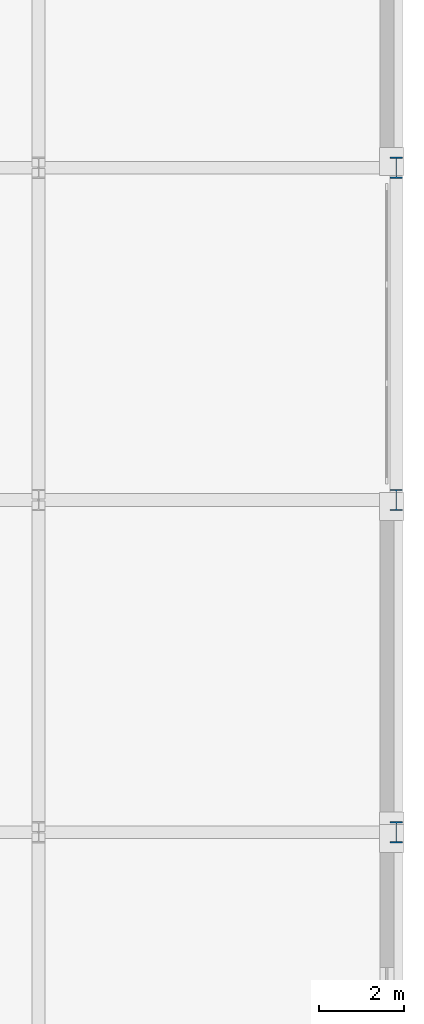
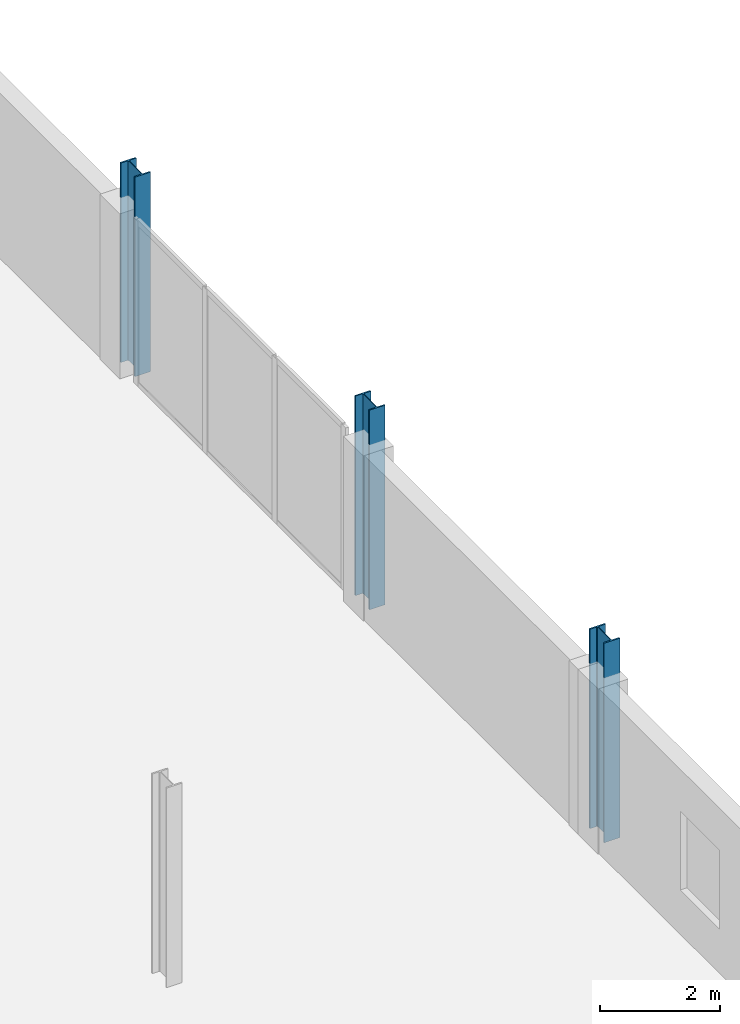
# One storey, part 13 of 77: 3 columns.
"""IFC4 building model written with IfcOpenShell, lengths in metres."""

from ifc_helpers import new_model, si_unit, direction, frame, origin, origin_2d, place, context, subcontext, project, spatial, i_section, extrude, material, material_profile, profile_set, type_object, element, save


model = new_model("IFC4")

# Units and contexts
model_context = context("Model", 3, precision=1e-05, world=origin(), true_north=direction((0.0, 1.0)))
body_context = subcontext(model_context, "Body", "Model", "MODEL_VIEW")
ifc_project = project(units=[si_unit("LENGTHUNIT", "METRE"), si_unit("AREAUNIT", "SQUARE_METRE"), si_unit("VOLUMEUNIT", "CUBIC_METRE"), si_unit("PLANEANGLEUNIT", "RADIAN"), si_unit("MASSUNIT", "GRAM", prefix="KILO")], contexts=[model_context])

# Site, building, storey
site_placement = place(None, origin())
site = spatial("IfcSite", under=ifc_project, at=site_placement, CompositionType="ELEMENT")
building_placement = place(site_placement, origin())
building = spatial("IfcBuilding", under=site, at=building_placement, Name="Nabrawat Pavilion Hospital", CompositionType="ELEMENT")
storey_placement = place(building_placement, frame((0.0, 0.0, 14.85009765625)))
storey = spatial("IfcBuildingStorey", under=building, at=storey_placement, Name="L03", CompositionType="ELEMENT", Elevation=14.85009765625)

# Columns
ifc_material = material(Name="Steel S355", Category="steel")
ifc_material_profile = material_profile(ifc_material, i_section(OverallWidth=0.300048828125, OverallDepth=0.5, WebThickness=0.014404296875, FlangeThickness=0.028076171875, FilletRadius=0.027099609375, at=origin_2d()), Name="HEB 500")
ifc_profile_set = profile_set([ifc_material_profile], Name="Steel S355")
column_type = type_object("IfcColumnType", Name="Composite Steel Column HEB 500", PredefinedType="COLUMN", material=ifc_profile_set)
for number, where, z_axis, x_axis, name in (
    (1, (193.199951171875, 46.800048828125, 0.0), (0.0, 0.0, 1.0), (1.0, 0.0, 0.0), "L03 Structural Column G-24-G"),
    (2, (193.199951171875, 54.60009765625, 0.0), (0.0, 0.0, 1.0), (1.0, 0.0, 0.0), "L03 Structural Column G-24-H"),
    (3, (193.199951171875, 62.39990234375, 0.0), (0.0, 0.0, 1.0), (1.0, 0.0, 0.0), "L03 Structural Column G-24-J"),
):
    element("IfcColumn", number, at=place(storey_placement, frame(where, z_axis=z_axis, x_axis=x_axis)), inside=storey, type_object=column_type, Name=name, PredefinedType="COLUMN", context=body_context, shape_type="SweptSolid", body=[
        extrude(i_section(OverallWidth=0.300048828125, OverallDepth=0.5, WebThickness=0.014404296875, FlangeThickness=0.028076171875, FilletRadius=0.027099609375, at=origin_2d()), origin(), (0.0, 0.0, 1.0), 4.0498046875),
    ])

save(model, "model.ifc")
